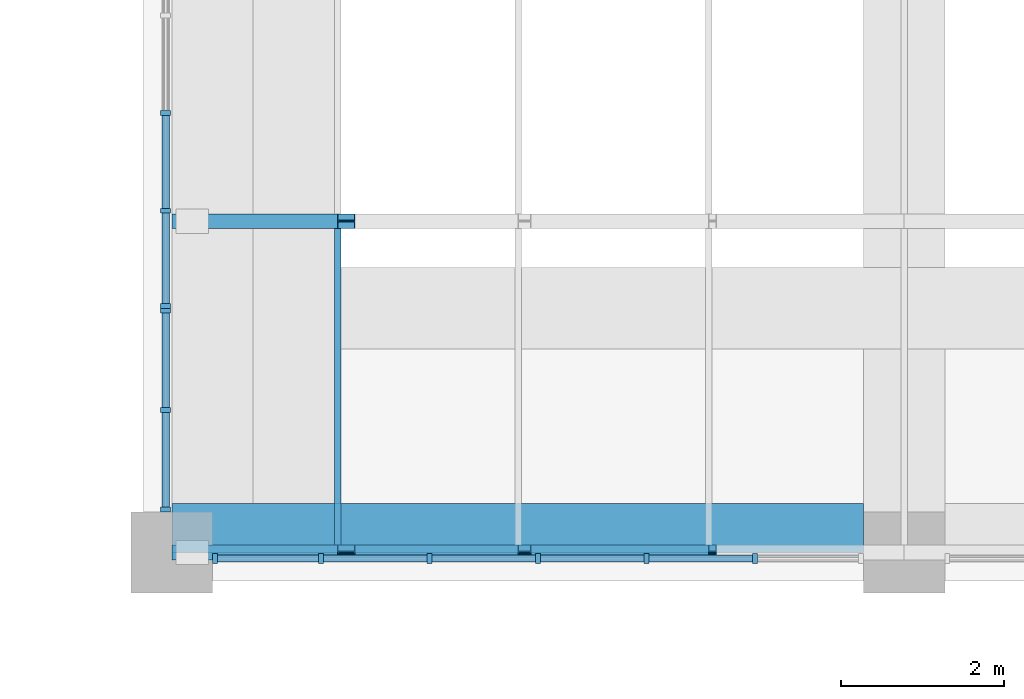
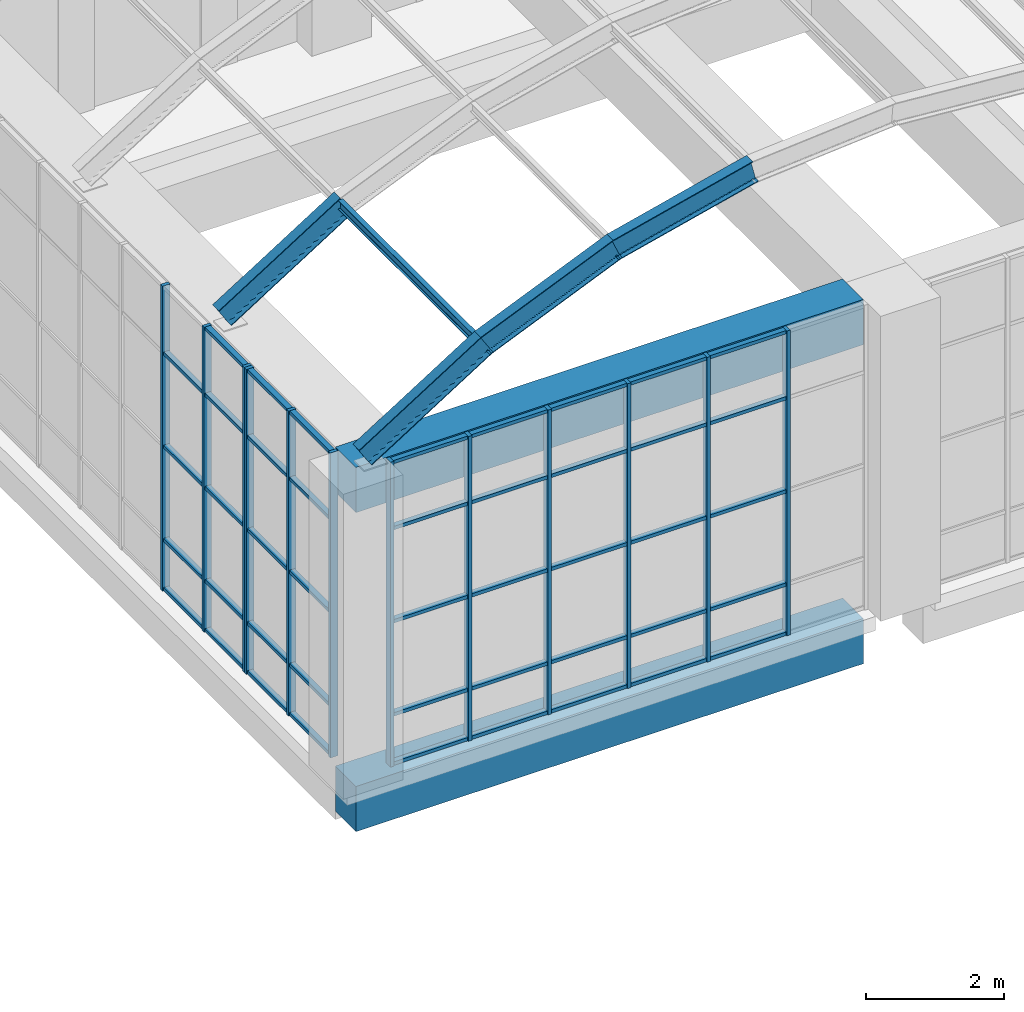
# One storey, part 6 of 39: 61 members, 2 beams, 3 elements without a shape of their own.
"""IFC4 building model written with IfcOpenShell, lengths in metres."""

from ifc_helpers import new_model, si_unit, direction, frame, origin, origin_2d, place, context, subcontext, project, spatial, rectangle, i_section, extrude, material, layer, layer_set, material_profile, profile_set, type_object, element, aggregate, save


model = new_model("IFC4")

# Units and contexts
model_context = context("Model", 3, precision=1e-05, world=origin(), true_north=direction((0.0, 1.0)))
body_context = subcontext(model_context, "Body", "Model", "MODEL_VIEW")
ifc_project = project(units=[si_unit("LENGTHUNIT", "METRE"), si_unit("AREAUNIT", "SQUARE_METRE"), si_unit("VOLUMEUNIT", "CUBIC_METRE"), si_unit("PLANEANGLEUNIT", "RADIAN"), si_unit("MASSUNIT", "GRAM", prefix="KILO")], contexts=[model_context])

# Site, building, storey
site_placement = place(None, origin())
site = spatial("IfcSite", under=ifc_project, at=site_placement, CompositionType="ELEMENT")
building_placement = place(site_placement, origin())
building = spatial("IfcBuilding", under=site, at=building_placement, Name="Aurelan Courthouse", CompositionType="ELEMENT")
storey_placement = place(building_placement, frame((0.0, 0.0, 28.199951171875)))
storey = spatial("IfcBuildingStorey", under=building, at=storey_placement, Name="L05", CompositionType="ELEMENT", Elevation=28.199951171875)

# Curtain wall, members
ifc_material_1 = material(Name="Bronze-finished aluminium and glass", Category="aluminium")
ifc_layer_1 = layer(ifc_material_1, 0.14990234375)
ifc_layer_set_1 = layer_set([ifc_layer_1], Name="Bronze-finished aluminium and glass")
curtain_wall_type_1 = type_object("IfcCurtainWallType", Name="Curtain wall 8000 x 5400", PredefinedType="NOTDEFINED", material=ifc_layer_set_1)
curtain_wall_1_placement = place(storey_placement, origin())
curtain_wall_1 = element("IfcCurtainWall", 1, at=curtain_wall_1_placement, inside=storey, type_object=curtain_wall_type_1, Name="Curtain wall CW-V3-L05-S01", PredefinedType="NOTDEFINED")
ifc_material_2 = material(Name="Bronze-finished aluminium", Category="aluminium")
ifc_material_profile_1 = material_profile(ifc_material_2, rectangle(XDim=0.125, YDim=0.06005859375, at=origin_2d()), Name="Bronze mullion 60 x 125")
ifc_profile_set_1 = profile_set([ifc_material_profile_1], Name="Bronze-finished aluminium")
member_type_1 = type_object("IfcMemberType", Name="Curtain wall mullion 60 x 125", PredefinedType="MULLION", material=ifc_profile_set_1)
member_1_placement = place(storey_placement, frame((72.530029296875, 37.425048828125, 0.0), z_axis=(0.0, 0.0, 1.0), x_axis=(0.0, 1.0, 0.0)))
member_1 = element("IfcMember", 2, at=member_1_placement, type_object=member_type_1, Name="CW-V3-L05-S01 mullion 1", PredefinedType="MULLION", context=body_context, shape_type="SweptSolid", body=[
    extrude(rectangle(XDim=0.125, YDim=0.06005859375, at=origin_2d()), origin(), (0.0, 0.0, 1.0), 5.400146484375),
])
member_2_placement = place(storey_placement, frame((73.833251953125, 37.425048828125, 0.0), z_axis=(0.0, 0.0, 1.0), x_axis=(0.0, 1.0, 0.0)))
member_2 = element("IfcMember", 3, at=member_2_placement, type_object=member_type_1, Name="CW-V3-L05-S01 mullion 2", PredefinedType="MULLION", context=body_context, shape_type="SweptSolid", body=[
    extrude(rectangle(XDim=0.125, YDim=0.06005859375, at=origin_2d()), origin(), (0.0, 0.0, 1.0), 5.400146484375),
])
member_3_placement = place(storey_placement, frame((75.166748046875, 37.425048828125, 0.0), z_axis=(0.0, 0.0, 1.0), x_axis=(0.0, 1.0, 0.0)))
member_3 = element("IfcMember", 4, at=member_3_placement, type_object=member_type_1, Name="CW-V3-L05-S01 mullion 3", PredefinedType="MULLION", context=body_context, shape_type="SweptSolid", body=[
    extrude(rectangle(XDim=0.125, YDim=0.06005859375, at=origin_2d()), origin(), (0.0, 0.0, 1.0), 5.400146484375),
])
member_4_placement = place(storey_placement, frame((76.5, 37.425048828125, 0.0), z_axis=(0.0, 0.0, 1.0), x_axis=(0.0, 1.0, 0.0)))
member_4 = element("IfcMember", 5, at=member_4_placement, type_object=member_type_1, Name="CW-V3-L05-S01 mullion 4", PredefinedType="MULLION", context=body_context, shape_type="SweptSolid", body=[
    extrude(rectangle(XDim=0.125, YDim=0.06005859375, at=origin_2d()), origin(), (0.0, 0.0, 1.0), 5.400146484375),
])
member_5_placement = place(storey_placement, frame((77.833251953125, 37.425048828125, 0.0), z_axis=(0.0, 0.0, 1.0), x_axis=(0.0, 1.0, 0.0)))
member_5 = element("IfcMember", 6, at=member_5_placement, type_object=member_type_1, Name="CW-V3-L05-S01 mullion 5", PredefinedType="MULLION", context=body_context, shape_type="SweptSolid", body=[
    extrude(rectangle(XDim=0.125, YDim=0.06005859375, at=origin_2d()), origin(), (0.0, 0.0, 1.0), 5.400146484375),
])
member_6_placement = place(storey_placement, frame((79.166748046875, 37.425048828125, 0.0), z_axis=(0.0, 0.0, 1.0), x_axis=(0.0, 1.0, 0.0)))
member_6 = element("IfcMember", 7, at=member_6_placement, type_object=member_type_1, Name="CW-V3-L05-S01 mullion 6", PredefinedType="MULLION", context=body_context, shape_type="SweptSolid", body=[
    extrude(rectangle(XDim=0.125, YDim=0.06005859375, at=origin_2d()), origin(), (0.0, 0.0, 1.0), 5.400146484375),
])

ifc_layer_2 = layer(ifc_material_1, 0.14990234375)
ifc_layer_set_2 = layer_set([ifc_layer_2], Name="Bronze-finished aluminium and glass")
curtain_wall_type_2 = type_object("IfcCurtainWallType", Name="Curtain wall 2500 x 5400", PredefinedType="NOTDEFINED", material=ifc_layer_set_2)
curtain_wall_2_placement = place(storey_placement, origin())
curtain_wall_2 = element("IfcCurtainWall", 8, at=curtain_wall_2_placement, inside=storey, type_object=curtain_wall_type_2, Name="Curtain wall CW-V3-L05-W01", PredefinedType="NOTDEFINED")
member_7_placement = place(storey_placement, frame((71.925048828125, 38.030029296875, 0.0), z_axis=(0.0, 0.0, 1.0), x_axis=(-1.0, 0.0, 0.0)))
member_7 = element("IfcMember", 9, at=member_7_placement, type_object=member_type_1, Name="CW-V3-L05-W01 mullion 1", PredefinedType="MULLION", context=body_context, shape_type="SweptSolid", body=[
    extrude(rectangle(XDim=0.125, YDim=0.06005859375, at=origin_2d()), origin(), (0.0, 0.0, 1.0), 5.400146484375),
])
member_8_placement = place(storey_placement, frame((71.925048828125, 39.25, 0.0), z_axis=(0.0, 0.0, 1.0), x_axis=(-1.0, 0.0, 0.0)))
member_8 = element("IfcMember", 10, at=member_8_placement, type_object=member_type_1, Name="CW-V3-L05-W01 mullion 2", PredefinedType="MULLION", context=body_context, shape_type="SweptSolid", body=[
    extrude(rectangle(XDim=0.125, YDim=0.06005859375, at=origin_2d()), origin(), (0.0, 0.0, 1.0), 5.400146484375),
])
member_9_placement = place(storey_placement, frame((71.925048828125, 40.469970703125, 0.0), z_axis=(0.0, 0.0, 1.0), x_axis=(-1.0, 0.0, 0.0)))
member_9 = element("IfcMember", 11, at=member_9_placement, type_object=member_type_1, Name="CW-V3-L05-W01 mullion 3", PredefinedType="MULLION", context=body_context, shape_type="SweptSolid", body=[
    extrude(rectangle(XDim=0.125, YDim=0.06005859375, at=origin_2d()), origin(), (0.0, 0.0, 1.0), 5.400146484375),
])

ifc_layer_3 = layer(ifc_material_1, 0.14990234375)
ifc_layer_set_3 = layer_set([ifc_layer_3], Name="Bronze-finished aluminium and glass")
curtain_wall_type_3 = type_object("IfcCurtainWallType", Name="Curtain wall 12000 x 5400", PredefinedType="NOTDEFINED", material=ifc_layer_set_3)
curtain_wall_3_placement = place(storey_placement, origin())
curtain_wall_3 = element("IfcCurtainWall", 12, at=curtain_wall_3_placement, inside=storey, type_object=curtain_wall_type_3, Name="Curtain wall CW-V3-L05-W02", PredefinedType="NOTDEFINED")
member_10_placement = place(storey_placement, frame((71.925048828125, 40.530029296875, 0.0), z_axis=(0.0, 0.0, 1.0), x_axis=(-1.0, 0.0, 0.0)))
member_10 = element("IfcMember", 13, at=member_10_placement, type_object=member_type_1, Name="CW-V3-L05-W02 mullion 1", PredefinedType="MULLION", context=body_context, shape_type="SweptSolid", body=[
    extrude(rectangle(XDim=0.125, YDim=0.06005859375, at=origin_2d()), origin(), (0.0, 0.0, 1.0), 5.400146484375),
])
member_11_placement = place(storey_placement, frame((71.925048828125, 41.699951171875, 0.0), z_axis=(0.0, 0.0, 1.0), x_axis=(-1.0, 0.0, 0.0)))
member_11 = element("IfcMember", 14, at=member_11_placement, type_object=member_type_1, Name="CW-V3-L05-W02 mullion 2", PredefinedType="MULLION", context=body_context, shape_type="SweptSolid", body=[
    extrude(rectangle(XDim=0.125, YDim=0.06005859375, at=origin_2d()), origin(), (0.0, 0.0, 1.0), 5.400146484375),
])
member_12_placement = place(storey_placement, frame((71.925048828125, 42.89990234375, 0.0), z_axis=(0.0, 0.0, 1.0), x_axis=(-1.0, 0.0, 0.0)))
member_12 = element("IfcMember", 15, at=member_12_placement, type_object=member_type_1, Name="CW-V3-L05-W02 mullion 3", PredefinedType="MULLION", context=body_context, shape_type="SweptSolid", body=[
    extrude(rectangle(XDim=0.125, YDim=0.06005859375, at=origin_2d()), origin(), (0.0, 0.0, 1.0), 5.400146484375),
])

# Member
ifc_material_profile_2 = material_profile(ifc_material_2, rectangle(XDim=0.090087890625, YDim=0.06005859375, at=origin_2d()), Name="Bronze transom 60 x 90")
ifc_profile_set_2 = profile_set([ifc_material_profile_2], Name="Bronze-finished aluminium")
member_type_2 = type_object("IfcMemberType", Name="Curtain wall transom 60 x 90", PredefinedType="USERDEFINED", material=ifc_profile_set_2)
member_13_placement = place(storey_placement, frame((72.56005859375, 37.425048828125, 0.030029296875), z_axis=(1.0, 0.0, 0.0), x_axis=(0.0, 1.0, 0.0)))
member_13 = element("IfcMember", 16, at=member_13_placement, type_object=member_type_2, Name="CW-V3-L05-S01 transom 1.1", ObjectType="TRANSOM", PredefinedType="USERDEFINED", context=body_context, shape_type="SweptSolid", body=[
    extrude(rectangle(XDim=0.090087890625, YDim=0.06005859375, at=origin_2d()), origin(), (0.0, 0.0, 1.0), 1.2431640625),
])

member_14_placement = place(storey_placement, frame((72.56005859375, 37.425048828125, 0.900146484375), z_axis=(1.0, 0.0, 0.0), x_axis=(0.0, 1.0, 0.0)))
member_14 = element("IfcMember", 17, at=member_14_placement, type_object=member_type_2, Name="CW-V3-L05-S01 transom 1.2", ObjectType="TRANSOM", PredefinedType="USERDEFINED", context=body_context, shape_type="SweptSolid", body=[
    extrude(rectangle(XDim=0.090087890625, YDim=0.06005859375, at=origin_2d()), origin(), (0.0, 0.0, 1.0), 1.2431640625),
])

member_15_placement = place(storey_placement, frame((72.56005859375, 37.425048828125, 2.550048828125), z_axis=(1.0, 0.0, 0.0), x_axis=(0.0, 1.0, 0.0)))
member_15 = element("IfcMember", 18, at=member_15_placement, type_object=member_type_2, Name="CW-V3-L05-S01 transom 1.3", ObjectType="TRANSOM", PredefinedType="USERDEFINED", context=body_context, shape_type="SweptSolid", body=[
    extrude(rectangle(XDim=0.090087890625, YDim=0.06005859375, at=origin_2d()), origin(), (0.0, 0.0, 1.0), 1.2431640625),
])

member_16_placement = place(storey_placement, frame((72.56005859375, 37.425048828125, 4.199951171875), z_axis=(1.0, 0.0, 0.0), x_axis=(0.0, 1.0, 0.0)))
member_16 = element("IfcMember", 19, at=member_16_placement, type_object=member_type_2, Name="CW-V3-L05-S01 transom 1.4", ObjectType="TRANSOM", PredefinedType="USERDEFINED", context=body_context, shape_type="SweptSolid", body=[
    extrude(rectangle(XDim=0.090087890625, YDim=0.06005859375, at=origin_2d()), origin(), (0.0, 0.0, 1.0), 1.2431640625),
])

member_17_placement = place(storey_placement, frame((72.56005859375, 37.425048828125, 5.3701171875), z_axis=(1.0, 0.0, 0.0), x_axis=(0.0, 1.0, 0.0)))
member_17 = element("IfcMember", 20, at=member_17_placement, type_object=member_type_2, Name="CW-V3-L05-S01 transom 1.5", ObjectType="TRANSOM", PredefinedType="USERDEFINED", context=body_context, shape_type="SweptSolid", body=[
    extrude(rectangle(XDim=0.090087890625, YDim=0.06005859375, at=origin_2d()), origin(), (0.0, 0.0, 1.0), 1.2431640625),
])

member_18_placement = place(storey_placement, frame((73.86328125, 37.425048828125, 0.030029296875), z_axis=(1.0, 0.0, 0.0), x_axis=(0.0, 1.0, 0.0)))
member_18 = element("IfcMember", 21, at=member_18_placement, type_object=member_type_2, Name="CW-V3-L05-S01 transom 2.1", ObjectType="TRANSOM", PredefinedType="USERDEFINED", context=body_context, shape_type="SweptSolid", body=[
    extrude(rectangle(XDim=0.090087890625, YDim=0.06005859375, at=origin_2d()), origin(), (0.0, 0.0, 1.0), 1.2734375),
])

member_19_placement = place(storey_placement, frame((73.86328125, 37.425048828125, 0.900146484375), z_axis=(1.0, 0.0, 0.0), x_axis=(0.0, 1.0, 0.0)))
member_19 = element("IfcMember", 22, at=member_19_placement, type_object=member_type_2, Name="CW-V3-L05-S01 transom 2.2", ObjectType="TRANSOM", PredefinedType="USERDEFINED", context=body_context, shape_type="SweptSolid", body=[
    extrude(rectangle(XDim=0.090087890625, YDim=0.06005859375, at=origin_2d()), origin(), (0.0, 0.0, 1.0), 1.2734375),
])

member_20_placement = place(storey_placement, frame((73.86328125, 37.425048828125, 2.550048828125), z_axis=(1.0, 0.0, 0.0), x_axis=(0.0, 1.0, 0.0)))
member_20 = element("IfcMember", 23, at=member_20_placement, type_object=member_type_2, Name="CW-V3-L05-S01 transom 2.3", ObjectType="TRANSOM", PredefinedType="USERDEFINED", context=body_context, shape_type="SweptSolid", body=[
    extrude(rectangle(XDim=0.090087890625, YDim=0.06005859375, at=origin_2d()), origin(), (0.0, 0.0, 1.0), 1.2734375),
])

member_21_placement = place(storey_placement, frame((73.86328125, 37.425048828125, 4.199951171875), z_axis=(1.0, 0.0, 0.0), x_axis=(0.0, 1.0, 0.0)))
member_21 = element("IfcMember", 24, at=member_21_placement, type_object=member_type_2, Name="CW-V3-L05-S01 transom 2.4", ObjectType="TRANSOM", PredefinedType="USERDEFINED", context=body_context, shape_type="SweptSolid", body=[
    extrude(rectangle(XDim=0.090087890625, YDim=0.06005859375, at=origin_2d()), origin(), (0.0, 0.0, 1.0), 1.2734375),
])

member_22_placement = place(storey_placement, frame((73.86328125, 37.425048828125, 5.3701171875), z_axis=(1.0, 0.0, 0.0), x_axis=(0.0, 1.0, 0.0)))
member_22 = element("IfcMember", 25, at=member_22_placement, type_object=member_type_2, Name="CW-V3-L05-S01 transom 2.5", ObjectType="TRANSOM", PredefinedType="USERDEFINED", context=body_context, shape_type="SweptSolid", body=[
    extrude(rectangle(XDim=0.090087890625, YDim=0.06005859375, at=origin_2d()), origin(), (0.0, 0.0, 1.0), 1.2734375),
])

member_23_placement = place(storey_placement, frame((75.19677734375, 37.425048828125, 0.030029296875), z_axis=(1.0, 0.0, 0.0), x_axis=(0.0, 1.0, 0.0)))
member_23 = element("IfcMember", 26, at=member_23_placement, type_object=member_type_2, Name="CW-V3-L05-S01 transom 3.1", ObjectType="TRANSOM", PredefinedType="USERDEFINED", context=body_context, shape_type="SweptSolid", body=[
    extrude(rectangle(XDim=0.090087890625, YDim=0.06005859375, at=origin_2d()), origin(), (0.0, 0.0, 1.0), 1.273193359375),
])

member_24_placement = place(storey_placement, frame((75.19677734375, 37.425048828125, 0.900146484375), z_axis=(1.0, 0.0, 0.0), x_axis=(0.0, 1.0, 0.0)))
member_24 = element("IfcMember", 27, at=member_24_placement, type_object=member_type_2, Name="CW-V3-L05-S01 transom 3.2", ObjectType="TRANSOM", PredefinedType="USERDEFINED", context=body_context, shape_type="SweptSolid", body=[
    extrude(rectangle(XDim=0.090087890625, YDim=0.06005859375, at=origin_2d()), origin(), (0.0, 0.0, 1.0), 1.273193359375),
])

member_25_placement = place(storey_placement, frame((75.19677734375, 37.425048828125, 2.550048828125), z_axis=(1.0, 0.0, 0.0), x_axis=(0.0, 1.0, 0.0)))
member_25 = element("IfcMember", 28, at=member_25_placement, type_object=member_type_2, Name="CW-V3-L05-S01 transom 3.3", ObjectType="TRANSOM", PredefinedType="USERDEFINED", context=body_context, shape_type="SweptSolid", body=[
    extrude(rectangle(XDim=0.090087890625, YDim=0.06005859375, at=origin_2d()), origin(), (0.0, 0.0, 1.0), 1.273193359375),
])

member_26_placement = place(storey_placement, frame((75.19677734375, 37.425048828125, 4.199951171875), z_axis=(1.0, 0.0, 0.0), x_axis=(0.0, 1.0, 0.0)))
member_26 = element("IfcMember", 29, at=member_26_placement, type_object=member_type_2, Name="CW-V3-L05-S01 transom 3.4", ObjectType="TRANSOM", PredefinedType="USERDEFINED", context=body_context, shape_type="SweptSolid", body=[
    extrude(rectangle(XDim=0.090087890625, YDim=0.06005859375, at=origin_2d()), origin(), (0.0, 0.0, 1.0), 1.273193359375),
])

member_27_placement = place(storey_placement, frame((75.19677734375, 37.425048828125, 5.3701171875), z_axis=(1.0, 0.0, 0.0), x_axis=(0.0, 1.0, 0.0)))
member_27 = element("IfcMember", 30, at=member_27_placement, type_object=member_type_2, Name="CW-V3-L05-S01 transom 3.5", ObjectType="TRANSOM", PredefinedType="USERDEFINED", context=body_context, shape_type="SweptSolid", body=[
    extrude(rectangle(XDim=0.090087890625, YDim=0.06005859375, at=origin_2d()), origin(), (0.0, 0.0, 1.0), 1.273193359375),
])

member_28_placement = place(storey_placement, frame((76.530029296875, 37.425048828125, 0.030029296875), z_axis=(1.0, 0.0, 0.0), x_axis=(0.0, 1.0, 0.0)))
member_28 = element("IfcMember", 31, at=member_28_placement, type_object=member_type_2, Name="CW-V3-L05-S01 transom 4.1", ObjectType="TRANSOM", PredefinedType="USERDEFINED", context=body_context, shape_type="SweptSolid", body=[
    extrude(rectangle(XDim=0.090087890625, YDim=0.06005859375, at=origin_2d()), origin(), (0.0, 0.0, 1.0), 1.273193359375),
])

member_29_placement = place(storey_placement, frame((76.530029296875, 37.425048828125, 0.900146484375), z_axis=(1.0, 0.0, 0.0), x_axis=(0.0, 1.0, 0.0)))
member_29 = element("IfcMember", 32, at=member_29_placement, type_object=member_type_2, Name="CW-V3-L05-S01 transom 4.2", ObjectType="TRANSOM", PredefinedType="USERDEFINED", context=body_context, shape_type="SweptSolid", body=[
    extrude(rectangle(XDim=0.090087890625, YDim=0.06005859375, at=origin_2d()), origin(), (0.0, 0.0, 1.0), 1.273193359375),
])

member_30_placement = place(storey_placement, frame((76.530029296875, 37.425048828125, 2.550048828125), z_axis=(1.0, 0.0, 0.0), x_axis=(0.0, 1.0, 0.0)))
member_30 = element("IfcMember", 33, at=member_30_placement, type_object=member_type_2, Name="CW-V3-L05-S01 transom 4.3", ObjectType="TRANSOM", PredefinedType="USERDEFINED", context=body_context, shape_type="SweptSolid", body=[
    extrude(rectangle(XDim=0.090087890625, YDim=0.06005859375, at=origin_2d()), origin(), (0.0, 0.0, 1.0), 1.273193359375),
])

member_31_placement = place(storey_placement, frame((76.530029296875, 37.425048828125, 4.199951171875), z_axis=(1.0, 0.0, 0.0), x_axis=(0.0, 1.0, 0.0)))
member_31 = element("IfcMember", 34, at=member_31_placement, type_object=member_type_2, Name="CW-V3-L05-S01 transom 4.4", ObjectType="TRANSOM", PredefinedType="USERDEFINED", context=body_context, shape_type="SweptSolid", body=[
    extrude(rectangle(XDim=0.090087890625, YDim=0.06005859375, at=origin_2d()), origin(), (0.0, 0.0, 1.0), 1.273193359375),
])

member_32_placement = place(storey_placement, frame((76.530029296875, 37.425048828125, 5.3701171875), z_axis=(1.0, 0.0, 0.0), x_axis=(0.0, 1.0, 0.0)))
member_32 = element("IfcMember", 35, at=member_32_placement, type_object=member_type_2, Name="CW-V3-L05-S01 transom 4.5", ObjectType="TRANSOM", PredefinedType="USERDEFINED", context=body_context, shape_type="SweptSolid", body=[
    extrude(rectangle(XDim=0.090087890625, YDim=0.06005859375, at=origin_2d()), origin(), (0.0, 0.0, 1.0), 1.273193359375),
])

member_33_placement = place(storey_placement, frame((77.86328125, 37.425048828125, 0.030029296875), z_axis=(1.0, 0.0, 0.0), x_axis=(0.0, 1.0, 0.0)))
member_33 = element("IfcMember", 36, at=member_33_placement, type_object=member_type_2, Name="CW-V3-L05-S01 transom 5.1", ObjectType="TRANSOM", PredefinedType="USERDEFINED", context=body_context, shape_type="SweptSolid", body=[
    extrude(rectangle(XDim=0.090087890625, YDim=0.06005859375, at=origin_2d()), origin(), (0.0, 0.0, 1.0), 1.2734375),
])

member_34_placement = place(storey_placement, frame((77.86328125, 37.425048828125, 0.900146484375), z_axis=(1.0, 0.0, 0.0), x_axis=(0.0, 1.0, 0.0)))
member_34 = element("IfcMember", 37, at=member_34_placement, type_object=member_type_2, Name="CW-V3-L05-S01 transom 5.2", ObjectType="TRANSOM", PredefinedType="USERDEFINED", context=body_context, shape_type="SweptSolid", body=[
    extrude(rectangle(XDim=0.090087890625, YDim=0.06005859375, at=origin_2d()), origin(), (0.0, 0.0, 1.0), 1.2734375),
])

member_35_placement = place(storey_placement, frame((77.86328125, 37.425048828125, 2.550048828125), z_axis=(1.0, 0.0, 0.0), x_axis=(0.0, 1.0, 0.0)))
member_35 = element("IfcMember", 38, at=member_35_placement, type_object=member_type_2, Name="CW-V3-L05-S01 transom 5.3", ObjectType="TRANSOM", PredefinedType="USERDEFINED", context=body_context, shape_type="SweptSolid", body=[
    extrude(rectangle(XDim=0.090087890625, YDim=0.06005859375, at=origin_2d()), origin(), (0.0, 0.0, 1.0), 1.2734375),
])

member_36_placement = place(storey_placement, frame((77.86328125, 37.425048828125, 4.199951171875), z_axis=(1.0, 0.0, 0.0), x_axis=(0.0, 1.0, 0.0)))
member_36 = element("IfcMember", 39, at=member_36_placement, type_object=member_type_2, Name="CW-V3-L05-S01 transom 5.4", ObjectType="TRANSOM", PredefinedType="USERDEFINED", context=body_context, shape_type="SweptSolid", body=[
    extrude(rectangle(XDim=0.090087890625, YDim=0.06005859375, at=origin_2d()), origin(), (0.0, 0.0, 1.0), 1.2734375),
])

member_37_placement = place(storey_placement, frame((77.86328125, 37.425048828125, 5.3701171875), z_axis=(1.0, 0.0, 0.0), x_axis=(0.0, 1.0, 0.0)))
member_37 = element("IfcMember", 40, at=member_37_placement, type_object=member_type_2, Name="CW-V3-L05-S01 transom 5.5", ObjectType="TRANSOM", PredefinedType="USERDEFINED", context=body_context, shape_type="SweptSolid", body=[
    extrude(rectangle(XDim=0.090087890625, YDim=0.06005859375, at=origin_2d()), origin(), (0.0, 0.0, 1.0), 1.2734375),
])

aggregate(curtain_wall_1, [member_1, member_2, member_3, member_4, member_5, member_6, member_13, member_14, member_15, member_16, member_17, member_18, member_19, member_20, member_21, member_22, member_23, member_24, member_25, member_26, member_27, member_28, member_29, member_30, member_31, member_32, member_33, member_34, member_35, member_36, member_37])

member_38_placement = place(storey_placement, frame((71.925048828125, 38.06005859375, 0.030029296875), z_axis=(0.0, 1.0, 0.0), x_axis=(-1.0, 0.0, 0.0)))
member_38 = element("IfcMember", 41, at=member_38_placement, type_object=member_type_2, Name="CW-V3-L05-W01 transom 1.1", ObjectType="TRANSOM", PredefinedType="USERDEFINED", context=body_context, shape_type="SweptSolid", body=[
    extrude(rectangle(XDim=0.090087890625, YDim=0.06005859375, at=origin_2d()), origin(), (0.0, 0.0, 1.0), 1.159912109375),
])

member_39_placement = place(storey_placement, frame((71.925048828125, 38.06005859375, 0.900146484375), z_axis=(0.0, 1.0, 0.0), x_axis=(-1.0, 0.0, 0.0)))
member_39 = element("IfcMember", 42, at=member_39_placement, type_object=member_type_2, Name="CW-V3-L05-W01 transom 1.2", ObjectType="TRANSOM", PredefinedType="USERDEFINED", context=body_context, shape_type="SweptSolid", body=[
    extrude(rectangle(XDim=0.090087890625, YDim=0.06005859375, at=origin_2d()), origin(), (0.0, 0.0, 1.0), 1.159912109375),
])

member_40_placement = place(storey_placement, frame((71.925048828125, 38.06005859375, 2.550048828125), z_axis=(0.0, 1.0, 0.0), x_axis=(-1.0, 0.0, 0.0)))
member_40 = element("IfcMember", 43, at=member_40_placement, type_object=member_type_2, Name="CW-V3-L05-W01 transom 1.3", ObjectType="TRANSOM", PredefinedType="USERDEFINED", context=body_context, shape_type="SweptSolid", body=[
    extrude(rectangle(XDim=0.090087890625, YDim=0.06005859375, at=origin_2d()), origin(), (0.0, 0.0, 1.0), 1.159912109375),
])

member_41_placement = place(storey_placement, frame((71.925048828125, 38.06005859375, 4.199951171875), z_axis=(0.0, 1.0, 0.0), x_axis=(-1.0, 0.0, 0.0)))
member_41 = element("IfcMember", 44, at=member_41_placement, type_object=member_type_2, Name="CW-V3-L05-W01 transom 1.4", ObjectType="TRANSOM", PredefinedType="USERDEFINED", context=body_context, shape_type="SweptSolid", body=[
    extrude(rectangle(XDim=0.090087890625, YDim=0.06005859375, at=origin_2d()), origin(), (0.0, 0.0, 1.0), 1.159912109375),
])

member_42_placement = place(storey_placement, frame((71.925048828125, 38.06005859375, 5.3701171875), z_axis=(0.0, 1.0, 0.0), x_axis=(-1.0, 0.0, 0.0)))
member_42 = element("IfcMember", 45, at=member_42_placement, type_object=member_type_2, Name="CW-V3-L05-W01 transom 1.5", ObjectType="TRANSOM", PredefinedType="USERDEFINED", context=body_context, shape_type="SweptSolid", body=[
    extrude(rectangle(XDim=0.090087890625, YDim=0.06005859375, at=origin_2d()), origin(), (0.0, 0.0, 1.0), 1.159912109375),
])

member_43_placement = place(storey_placement, frame((71.925048828125, 39.280029296875, 0.030029296875), z_axis=(0.0, 1.0, 0.0), x_axis=(-1.0, 0.0, 0.0)))
member_43 = element("IfcMember", 46, at=member_43_placement, type_object=member_type_2, Name="CW-V3-L05-W01 transom 2.1", ObjectType="TRANSOM", PredefinedType="USERDEFINED", context=body_context, shape_type="SweptSolid", body=[
    extrude(rectangle(XDim=0.090087890625, YDim=0.06005859375, at=origin_2d()), origin(), (0.0, 0.0, 1.0), 1.159912109375),
])

member_44_placement = place(storey_placement, frame((71.925048828125, 39.280029296875, 0.900146484375), z_axis=(0.0, 1.0, 0.0), x_axis=(-1.0, 0.0, 0.0)))
member_44 = element("IfcMember", 47, at=member_44_placement, type_object=member_type_2, Name="CW-V3-L05-W01 transom 2.2", ObjectType="TRANSOM", PredefinedType="USERDEFINED", context=body_context, shape_type="SweptSolid", body=[
    extrude(rectangle(XDim=0.090087890625, YDim=0.06005859375, at=origin_2d()), origin(), (0.0, 0.0, 1.0), 1.159912109375),
])

member_45_placement = place(storey_placement, frame((71.925048828125, 39.280029296875, 2.550048828125), z_axis=(0.0, 1.0, 0.0), x_axis=(-1.0, 0.0, 0.0)))
member_45 = element("IfcMember", 48, at=member_45_placement, type_object=member_type_2, Name="CW-V3-L05-W01 transom 2.3", ObjectType="TRANSOM", PredefinedType="USERDEFINED", context=body_context, shape_type="SweptSolid", body=[
    extrude(rectangle(XDim=0.090087890625, YDim=0.06005859375, at=origin_2d()), origin(), (0.0, 0.0, 1.0), 1.159912109375),
])

member_46_placement = place(storey_placement, frame((71.925048828125, 39.280029296875, 4.199951171875), z_axis=(0.0, 1.0, 0.0), x_axis=(-1.0, 0.0, 0.0)))
member_46 = element("IfcMember", 49, at=member_46_placement, type_object=member_type_2, Name="CW-V3-L05-W01 transom 2.4", ObjectType="TRANSOM", PredefinedType="USERDEFINED", context=body_context, shape_type="SweptSolid", body=[
    extrude(rectangle(XDim=0.090087890625, YDim=0.06005859375, at=origin_2d()), origin(), (0.0, 0.0, 1.0), 1.159912109375),
])

member_47_placement = place(storey_placement, frame((71.925048828125, 39.280029296875, 5.3701171875), z_axis=(0.0, 1.0, 0.0), x_axis=(-1.0, 0.0, 0.0)))
member_47 = element("IfcMember", 50, at=member_47_placement, type_object=member_type_2, Name="CW-V3-L05-W01 transom 2.5", ObjectType="TRANSOM", PredefinedType="USERDEFINED", context=body_context, shape_type="SweptSolid", body=[
    extrude(rectangle(XDim=0.090087890625, YDim=0.06005859375, at=origin_2d()), origin(), (0.0, 0.0, 1.0), 1.159912109375),
])

aggregate(curtain_wall_2, [member_7, member_8, member_9, member_38, member_39, member_40, member_41, member_42, member_43, member_44, member_45, member_46, member_47])

member_48_placement = place(storey_placement, frame((71.925048828125, 40.56005859375, 0.030029296875), z_axis=(0.0, 1.0, 0.0), x_axis=(-1.0, 0.0, 0.0)))
member_48 = element("IfcMember", 51, at=member_48_placement, type_object=member_type_2, Name="CW-V3-L05-W02 transom 1.1", ObjectType="TRANSOM", PredefinedType="USERDEFINED", context=body_context, shape_type="SweptSolid", body=[
    extrude(rectangle(XDim=0.090087890625, YDim=0.06005859375, at=origin_2d()), origin(), (0.0, 0.0, 1.0), 1.10986328125),
])

member_49_placement = place(storey_placement, frame((71.925048828125, 40.56005859375, 0.900146484375), z_axis=(0.0, 1.0, 0.0), x_axis=(-1.0, 0.0, 0.0)))
member_49 = element("IfcMember", 52, at=member_49_placement, type_object=member_type_2, Name="CW-V3-L05-W02 transom 1.2", ObjectType="TRANSOM", PredefinedType="USERDEFINED", context=body_context, shape_type="SweptSolid", body=[
    extrude(rectangle(XDim=0.090087890625, YDim=0.06005859375, at=origin_2d()), origin(), (0.0, 0.0, 1.0), 1.10986328125),
])

member_50_placement = place(storey_placement, frame((71.925048828125, 40.56005859375, 2.550048828125), z_axis=(0.0, 1.0, 0.0), x_axis=(-1.0, 0.0, 0.0)))
member_50 = element("IfcMember", 53, at=member_50_placement, type_object=member_type_2, Name="CW-V3-L05-W02 transom 1.3", ObjectType="TRANSOM", PredefinedType="USERDEFINED", context=body_context, shape_type="SweptSolid", body=[
    extrude(rectangle(XDim=0.090087890625, YDim=0.06005859375, at=origin_2d()), origin(), (0.0, 0.0, 1.0), 1.10986328125),
])

member_51_placement = place(storey_placement, frame((71.925048828125, 40.56005859375, 4.199951171875), z_axis=(0.0, 1.0, 0.0), x_axis=(-1.0, 0.0, 0.0)))
member_51 = element("IfcMember", 54, at=member_51_placement, type_object=member_type_2, Name="CW-V3-L05-W02 transom 1.4", ObjectType="TRANSOM", PredefinedType="USERDEFINED", context=body_context, shape_type="SweptSolid", body=[
    extrude(rectangle(XDim=0.090087890625, YDim=0.06005859375, at=origin_2d()), origin(), (0.0, 0.0, 1.0), 1.10986328125),
])

member_52_placement = place(storey_placement, frame((71.925048828125, 40.56005859375, 5.3701171875), z_axis=(0.0, 1.0, 0.0), x_axis=(-1.0, 0.0, 0.0)))
member_52 = element("IfcMember", 55, at=member_52_placement, type_object=member_type_2, Name="CW-V3-L05-W02 transom 1.5", ObjectType="TRANSOM", PredefinedType="USERDEFINED", context=body_context, shape_type="SweptSolid", body=[
    extrude(rectangle(XDim=0.090087890625, YDim=0.06005859375, at=origin_2d()), origin(), (0.0, 0.0, 1.0), 1.10986328125),
])

member_53_placement = place(storey_placement, frame((71.925048828125, 41.72998046875, 0.030029296875), z_axis=(0.0, 1.0, 0.0), x_axis=(-1.0, 0.0, 0.0)))
member_53 = element("IfcMember", 56, at=member_53_placement, type_object=member_type_2, Name="CW-V3-L05-W02 transom 2.1", ObjectType="TRANSOM", PredefinedType="USERDEFINED", context=body_context, shape_type="SweptSolid", body=[
    extrude(rectangle(XDim=0.090087890625, YDim=0.06005859375, at=origin_2d()), origin(), (0.0, 0.0, 1.0), 1.14013671875),
])

member_54_placement = place(storey_placement, frame((71.925048828125, 41.72998046875, 0.900146484375), z_axis=(0.0, 1.0, 0.0), x_axis=(-1.0, 0.0, 0.0)))
member_54 = element("IfcMember", 57, at=member_54_placement, type_object=member_type_2, Name="CW-V3-L05-W02 transom 2.2", ObjectType="TRANSOM", PredefinedType="USERDEFINED", context=body_context, shape_type="SweptSolid", body=[
    extrude(rectangle(XDim=0.090087890625, YDim=0.06005859375, at=origin_2d()), origin(), (0.0, 0.0, 1.0), 1.14013671875),
])

member_55_placement = place(storey_placement, frame((71.925048828125, 41.72998046875, 2.550048828125), z_axis=(0.0, 1.0, 0.0), x_axis=(-1.0, 0.0, 0.0)))
member_55 = element("IfcMember", 58, at=member_55_placement, type_object=member_type_2, Name="CW-V3-L05-W02 transom 2.3", ObjectType="TRANSOM", PredefinedType="USERDEFINED", context=body_context, shape_type="SweptSolid", body=[
    extrude(rectangle(XDim=0.090087890625, YDim=0.06005859375, at=origin_2d()), origin(), (0.0, 0.0, 1.0), 1.14013671875),
])

member_56_placement = place(storey_placement, frame((71.925048828125, 41.72998046875, 4.199951171875), z_axis=(0.0, 1.0, 0.0), x_axis=(-1.0, 0.0, 0.0)))
member_56 = element("IfcMember", 59, at=member_56_placement, type_object=member_type_2, Name="CW-V3-L05-W02 transom 2.4", ObjectType="TRANSOM", PredefinedType="USERDEFINED", context=body_context, shape_type="SweptSolid", body=[
    extrude(rectangle(XDim=0.090087890625, YDim=0.06005859375, at=origin_2d()), origin(), (0.0, 0.0, 1.0), 1.14013671875),
])

aggregate(curtain_wall_3, [member_10, member_11, member_12, member_48, member_49, member_50, member_51, member_52, member_53, member_54, member_55, member_56])

# Beams
ifc_material_3 = material(Name="Concrete C50", Category="concrete")
ifc_material_profile_3 = material_profile(ifc_material_3, rectangle(XDim=0.60009765625, YDim=0.800048828125, at=origin_2d()), Name="RC 600 x 800")
ifc_profile_set_3 = profile_set([ifc_material_profile_3], Name="Concrete C50")
beam_type = type_object("IfcBeamType", Name="RC spandrel beam 600 x 800", PredefinedType="SPANDREL", material=ifc_profile_set_3)
for number, where, z_axis, x_axis, name in (
    (60, (72.0, 37.800048828125, -0.64990234375), (1.0, 0.0, 0.0), (0.0, 1.0, 0.0), "Spandrel beam SB-D-9-10"),
    (61, (72.0, 37.800048828125, 5.0), (1.0, 0.0, 0.0), (0.0, 1.0, 0.0), "Spandrel beam SB-D-9-10R"),
):
    element("IfcBeam", number, at=place(storey_placement, frame(where, z_axis=z_axis, x_axis=x_axis)), inside=storey, type_object=beam_type, Name=name, PredefinedType="SPANDREL", context=body_context, shape_type="SweptSolid", body=[
        extrude(rectangle(XDim=0.60009765625, YDim=0.800048828125, at=origin_2d()), origin(), (0.0, 0.0, 1.0), 8.5),
    ])

# Members
ifc_material_4 = material(Name="Steel S355", Category="steel")
ifc_material_profile_4 = material_profile(ifc_material_4, i_section(OverallWidth=0.08203125, OverallDepth=0.159912109375, WebThickness=0.0048828125, FlangeThickness=0.00732421875, FilletRadius=0.009033203125, at=origin_2d()), Name="IPE 160")
ifc_profile_set_4 = profile_set([ifc_material_profile_4], Name="Steel S355")
member_type_3 = type_object("IfcMemberType", Name="Vault purlin IPE 160", PredefinedType="PURLIN", material=ifc_profile_set_4)
member_57_placement = place(storey_placement, frame((74.038330078125, 37.590087890625, 6.93798828125), z_axis=(0.0, 1.0, 0.0), x_axis=(-1.0, 0.0, 0.0)))
element("IfcMember", 62, at=member_57_placement, inside=storey, type_object=member_type_3, Name="Vault purlin VP 1-1", PredefinedType="PURLIN", context=body_context, shape_type="SweptSolid", body=[
    extrude(i_section(OverallWidth=0.08203125, OverallDepth=0.159912109375, WebThickness=0.0048828125, FlangeThickness=0.00732421875, FilletRadius=0.009033203125, at=origin_2d()), origin(), (0.0, 0.0, 1.0), 3.891357421875),
])
ifc_material_profile_5 = material_profile(ifc_material_4, i_section(OverallWidth=0.179931640625, OverallDepth=0.39990234375, WebThickness=0.008544921875, FlangeThickness=0.013427734375, FilletRadius=0.02099609375, at=origin_2d()), Name="IPE 400")
ifc_profile_set_5 = profile_set([ifc_material_profile_5], Name="Steel S355")
member_type_4 = type_object("IfcMemberType", Name="Vault rib IPE 400", PredefinedType="RAFTER", material=ifc_profile_set_5)
for number, where, z_axis, x_axis, name in (
    (63, (72.106689453125, 37.5, 5.589111328125), (0.84565732059, 0.0, 0.533726237067), (0.0, 1.0, 0.0), "Vault rib VR-1 segment 1"),
    (64, (74.11669921875, 37.5, 6.86083984375), (0.920205091929, 0.0, 0.391436570582), (0.0, 1.0, 0.0), "Vault rib VR-1 segment 2"),
):
    element("IfcMember", number, at=place(storey_placement, frame(where, z_axis=z_axis, x_axis=x_axis)), inside=storey, type_object=member_type_4, Name=name, PredefinedType="RAFTER", context=body_context, shape_type="SweptSolid", body=[
        extrude(i_section(OverallWidth=0.179931640625, OverallDepth=0.39990234375, WebThickness=0.008544921875, FlangeThickness=0.013427734375, FilletRadius=0.02099609375, at=origin_2d()), origin(), (0.0, 0.0, 1.0), 2.41064453125),
    ])
member_58_placement = place(storey_placement, frame((76.304443359375, 37.5, 7.794189453125), z_axis=(0.971011985674, 0.0, 0.239030800687), x_axis=(0.0, 1.0, 0.0)))
element("IfcMember", 65, at=member_58_placement, inside=storey, type_object=member_type_4, Name="Vault rib VR-1 segment 3", PredefinedType="RAFTER", context=body_context, shape_type="SweptSolid", body=[
    extrude(i_section(OverallWidth=0.179931640625, OverallDepth=0.39990234375, WebThickness=0.008544921875, FlangeThickness=0.013427734375, FilletRadius=0.02099609375, at=origin_2d()), origin(), (0.0, 0.0, 1.0), 2.410400390625),
])
member_59_placement = place(storey_placement, frame((72.106689453125, 41.5712890625, 5.589111328125), z_axis=(0.84565732059, 0.0, 0.533726237067), x_axis=(0.0, 1.0, 0.0)))
element("IfcMember", 66, at=member_59_placement, inside=storey, type_object=member_type_4, Name="Vault rib VR-2 segment 1", PredefinedType="RAFTER", context=body_context, shape_type="SweptSolid", body=[
    extrude(i_section(OverallWidth=0.179931640625, OverallDepth=0.39990234375, WebThickness=0.008544921875, FlangeThickness=0.013427734375, FilletRadius=0.02099609375, at=origin_2d()), origin(), (0.0, 0.0, 1.0), 2.41064453125),
])

save(model, "model.ifc")
